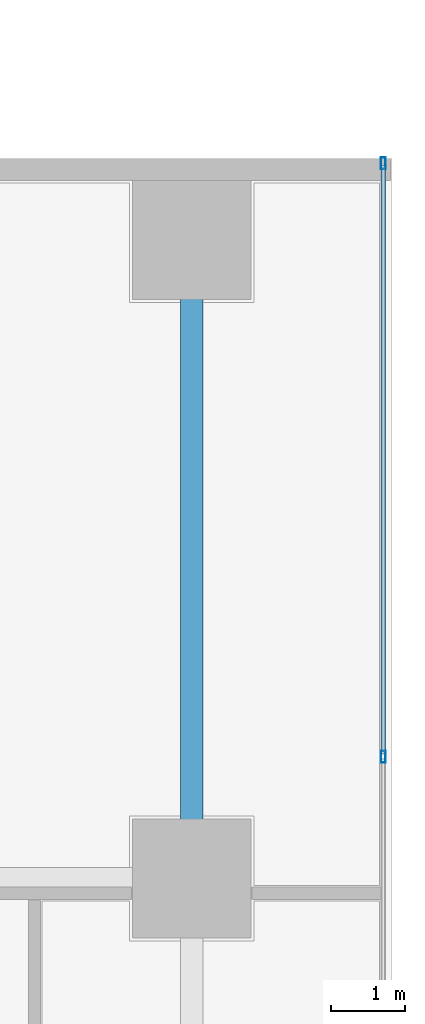
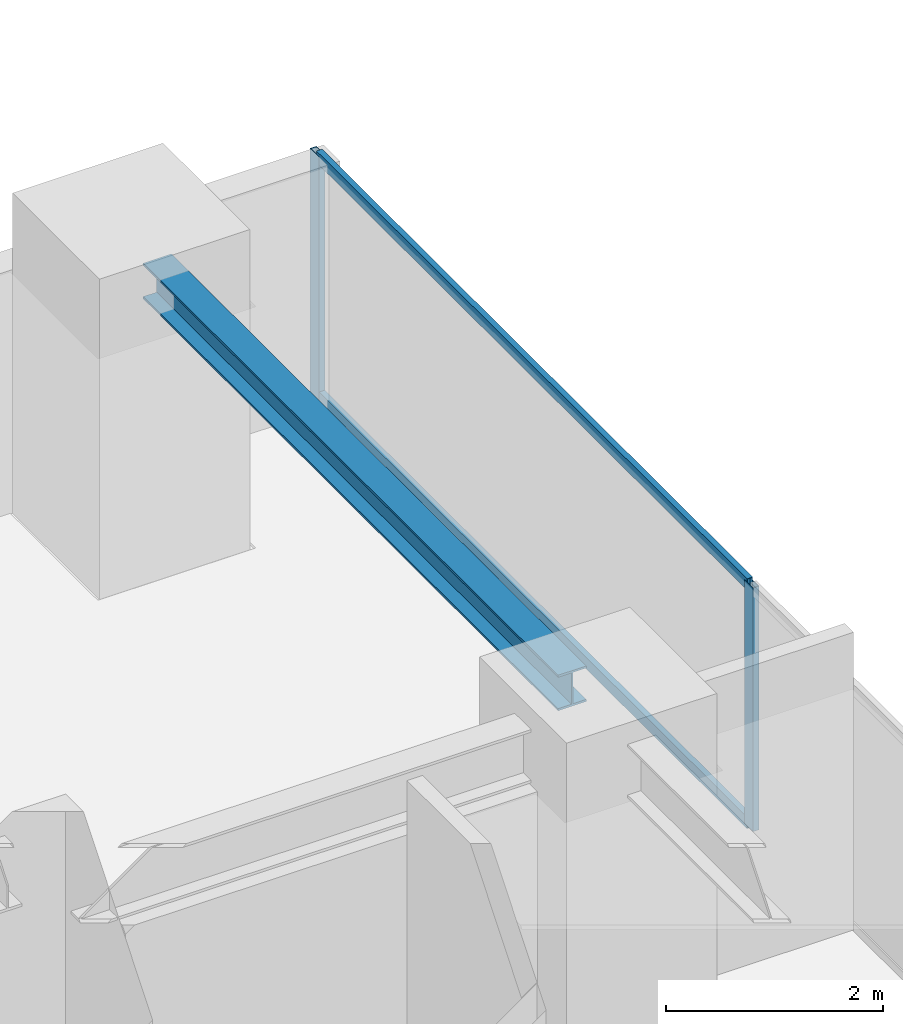
# One storey, part 23 of 34: 4 members, 1 beam, 1 element without a shape of its own.
"""IFC4 building model written with IfcOpenShell, lengths in metres."""

from ifc_helpers import new_model, si_unit, direction, frame, origin, origin_2d, place, context, subcontext, project, spatial, hollow_rectangle, i_section, extrude, source, transform, mapped, material, layer, layer_set, material_profile, profile_set, type_object, element, aggregate, save


model = new_model("IFC4")

# Units and contexts
model_context = context("Model", 3, precision=1e-05, world=origin(), true_north=direction((0.0, 1.0)))
body_context = subcontext(model_context, "Body", "Model", "MODEL_VIEW")
ifc_project = project(units=[si_unit("LENGTHUNIT", "METRE"), si_unit("AREAUNIT", "SQUARE_METRE"), si_unit("VOLUMEUNIT", "CUBIC_METRE"), si_unit("PLANEANGLEUNIT", "RADIAN"), si_unit("MASSUNIT", "GRAM", prefix="KILO")], contexts=[model_context])

# Site, building, storey
site_placement = place(None, origin())
site = spatial("IfcSite", under=ifc_project, at=site_placement, CompositionType="ELEMENT")
building_placement = place(site_placement, origin())
building = spatial("IfcBuilding", under=site, at=building_placement, Name="Sumidabori Civic Tower", CompositionType="ELEMENT")
storey_placement = place(building_placement, frame((0.0, 0.0, 106.39990234375)))
storey = spatial("IfcBuildingStorey", under=building, at=storey_placement, Name="L27", CompositionType="ELEMENT", Elevation=106.39990234375)

# Beam
ifc_material_1 = material(Name="Steel SN490", Category="steel")
ifc_material_profile_1 = material_profile(ifc_material_1, i_section(OverallWidth=0.300048828125, OverallDepth=0.39990234375, WebThickness=0.013427734375, FlangeThickness=0.02392578125, at=origin_2d()), Name="HE 400 B")
ifc_profile_set_1 = profile_set([ifc_material_profile_1], Name="Steel SN490")
beam_type = type_object("IfcBeamType", Name="BM-GIRD-400", PredefinedType="BEAM", material=ifc_profile_set_1)
shared_shape_1 = source(origin(), body_context, "Body", "SweptSolid", [
    extrude(i_section(OverallWidth=0.300048828125, OverallDepth=0.39990234375, WebThickness=0.013427734375, FlangeThickness=0.02392578125, at=origin_2d()), origin(), (0.0, 0.0, 1.0), 7.64013671875),
])
beam_placement = place(storey_placement, frame((22.800048828125, 10.679931640625, 3.16015625), z_axis=(0.0, 1.0, 0.0), x_axis=(-1.0, 0.0, 0.0)))
element("IfcBeam", 1, at=beam_placement, inside=storey, type_object=beam_type, Name="Primary Girder L27 GY-42", PredefinedType="BEAM", context=body_context, shape_type="MappedRepresentation", body=[
    mapped(shared_shape_1, transform((0.0, 0.0, 0.0), x_axis=(1.0, 0.0, 0.0), y_axis=(0.0, 1.0, 0.0), z_axis=(0.0, 0.0, 1.0), scale=1.0)),
])

# Curtain wall, members
ifc_material_2 = material(Name="Anodised Bronze Aluminium AW-6063-T6", Category="aluminium")
ifc_layer = layer(ifc_material_2, 0.179931640625, Name="Anodised Bronze Aluminium AW-6063-T6")
ifc_layer_set = layer_set([ifc_layer], Name="Anodised Bronze Aluminium AW-6063-T6")
curtain_wall_type = type_object("IfcCurtainWallType", Name="CW-SYS-3", PredefinedType="NOTDEFINED", material=ifc_layer_set)
curtain_wall_placement = place(storey_placement, origin())
curtain_wall = element("IfcCurtainWall", 2, at=curtain_wall_placement, inside=storey, type_object=curtain_wall_type, Name="Curtain Wall CW:L27:R04", PredefinedType="NOTDEFINED")
ifc_material_profile_2 = material_profile(ifc_material_2, hollow_rectangle(XDim=0.06494140625, YDim=0.159912109375, WallThickness=0.0048828125, at=origin_2d()), Name="ALU MULLION 160x65")
ifc_profile_set_2 = profile_set([ifc_material_profile_2], Name="Anodised Bronze Aluminium AW-6063-T6")
member_type_1 = type_object("IfcMemberType", Name="CW-MUL-160", PredefinedType="MULLION", material=ifc_profile_set_2)
shared_shape_2 = source(origin(), body_context, "Body", "SweptSolid", [
    extrude(hollow_rectangle(XDim=0.06494140625, YDim=0.159912109375, WallThickness=0.0048828125, at=origin_2d()), origin(), (0.0, 0.0, 1.0), 2.739990234375),
])
member_1_placement = place(storey_placement, frame((25.3798828125, 11.842041015625, 0.0), z_axis=(0.0, 0.0, 1.0), x_axis=(-1.0, 0.0, 0.0)))
member_1 = element("IfcMember", 3, at=member_1_placement, type_object=member_type_1, Name="CW-3 mullion 5", PredefinedType="MULLION", context=body_context, shape_type="MappedRepresentation", body=[
    mapped(shared_shape_2, transform((0.0, 0.0, 0.0), x_axis=(1.0, 0.0, 0.0), y_axis=(0.0, 1.0, 0.0), z_axis=(0.0, 0.0, 1.0), scale=1.0)),
])
member_2_placement = place(storey_placement, frame((25.3798828125, 19.83740234375, 0.0), z_axis=(0.0, 0.0, 1.0), x_axis=(-1.0, 0.0, 0.0)))
member_2 = element("IfcMember", 4, at=member_2_placement, type_object=member_type_1, Name="CW-3 mullion 6", PredefinedType="MULLION", context=body_context, shape_type="MappedRepresentation", body=[
    mapped(shared_shape_2, transform((0.0, 0.0, 0.0), x_axis=(1.0, 0.0, 0.0), y_axis=(0.0, 1.0, 0.0), z_axis=(0.0, 0.0, 1.0), scale=1.0)),
])
ifc_material_profile_3 = material_profile(ifc_material_2, hollow_rectangle(XDim=0.06005859375, YDim=0.1298828125, WallThickness=0.0048828125, at=origin_2d()), Name="ALU TRANSOM 130x60")
ifc_profile_set_3 = profile_set([ifc_material_profile_3], Name="Anodised Bronze Aluminium AW-6063-T6")
member_type_2 = type_object("IfcMemberType", Name="CW-TRN-130", PredefinedType="USERDEFINED", material=ifc_profile_set_3)
shared_shape_3 = source(origin(), body_context, "Body", "SweptSolid", [
    extrude(hollow_rectangle(XDim=0.06005859375, YDim=0.1298828125, WallThickness=0.0048828125, at=origin_2d()), origin(), (0.0, 0.0, 1.0), 7.930419921875),
])
member_3_placement = place(storey_placement, frame((25.3798828125, 11.87451171875, 0.030029296875), z_axis=(0.0, 1.0, 0.0), x_axis=(-1.0, 0.0, 0.0)))
member_3 = element("IfcMember", 5, at=member_3_placement, type_object=member_type_2, Name="CW-3 transom 5.1", ObjectType="TRANSOM", PredefinedType="USERDEFINED", context=body_context, shape_type="MappedRepresentation", body=[
    mapped(shared_shape_3, transform((0.0, 0.0, 0.0), x_axis=(1.0, 0.0, 0.0), y_axis=(0.0, 1.0, 0.0), z_axis=(0.0, 0.0, 1.0), scale=1.0)),
])
member_4_placement = place(storey_placement, frame((25.3798828125, 11.87451171875, 2.710205078125), z_axis=(0.0, 1.0, 0.0), x_axis=(-1.0, 0.0, 0.0)))
member_4 = element("IfcMember", 6, at=member_4_placement, type_object=member_type_2, Name="CW-3 transom 5.2", ObjectType="TRANSOM", PredefinedType="USERDEFINED", context=body_context, shape_type="MappedRepresentation", body=[
    mapped(shared_shape_3, transform((0.0, 0.0, 0.0), x_axis=(1.0, 0.0, 0.0), y_axis=(0.0, 1.0, 0.0), z_axis=(0.0, 0.0, 1.0), scale=1.0)),
])
aggregate(curtain_wall, [member_1, member_2, member_3, member_4])

save(model, "model.ifc")
